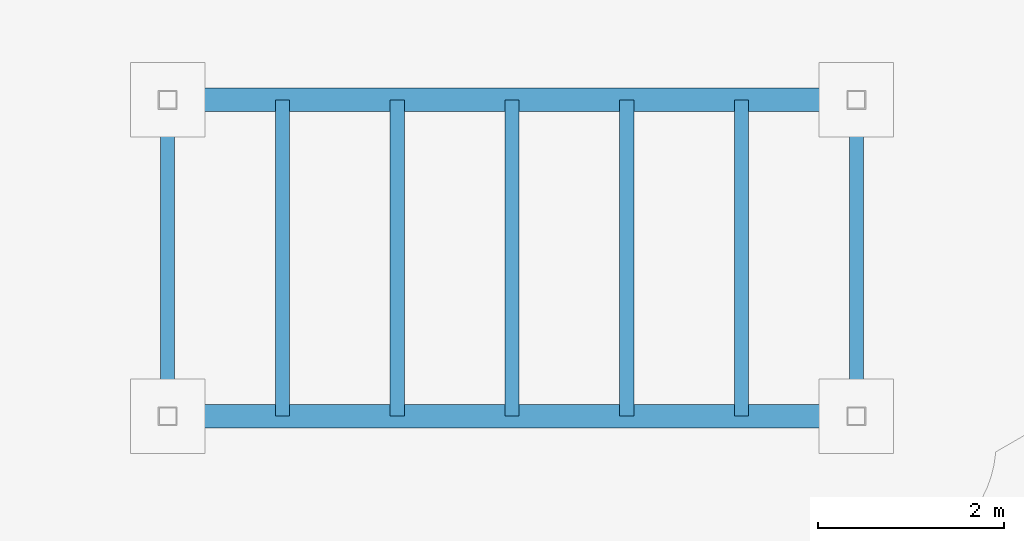
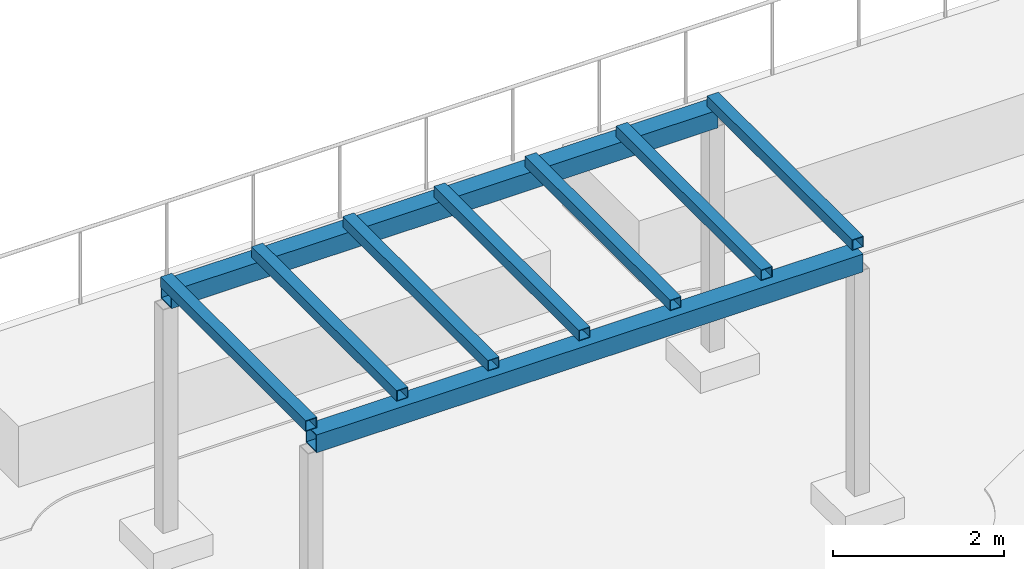
# One storey, part 42 of 71: 7 members, 2 beams.
"""IFC4 building model written with IfcOpenShell, lengths in metres."""

import ifcopenshell
import ifcopenshell.guid

model = None  # the IFC model being written
_history = None  # IfcOwnerHistory: only IFC2X3 demands one
_inside = {}  # id of a spatial element -> (the spatial element, [elements in it])
_under = {}  # id of a project, library or spatial element -> (it, [spatial elements below it])
_declared = {}  # id of a project -> (the project, [libraries it declares])
_typed = {}  # id of a type object -> (the type object, [elements of that type])
_made_of = {}  # id of a material, layer set ... -> (it, [elements and type objects made of it])


def new_model(schema):
    """Start an empty IFC model of exactly this schema.

    Asked for "IFC4X3", IfcOpenShell would pick the latest addendum, in which some entities
    have other attributes; the version numbers below select the first issue.
    IFC2X3 requires an IfcOwnerHistory on every rooted entity: one is made here for all.
    """
    global model, _history
    if schema == "IFC4X3":
        model = ifcopenshell.file(schema_version=(4, 3, 0, 0))
    else:
        model = ifcopenshell.file(schema=schema)
    _inside.clear()
    _under.clear()
    _declared.clear()
    _typed.clear()
    _made_of.clear()
    _history = None
    if model.schema == "IFC2X3":
        org = make("IfcOrganization", Name="unknown")
        user = make(
            "IfcPersonAndOrganization",
            ThePerson=make("IfcPerson", FamilyName="unknown"),
            TheOrganization=org,
        )
        app = make(
            "IfcApplication",
            ApplicationDeveloper=org,
            Version="unknown",
            ApplicationFullName="unknown",
            ApplicationIdentifier="unknown",
        )
        _history = make(
            "IfcOwnerHistory",
            OwningUser=user,
            OwningApplication=app,
            ChangeAction="ADDED",
            CreationDate=0,
        )
    return model


def make(cls, **values):
    """One entity of the class cls with the attributes given. An attribute that is None is left unset."""
    return model.create_entity(
        cls, **{name: value for name, value in values.items() if value is not None}
    )


def rooted(cls, **values):
    """An entity with a GlobalId (a new one), such as an element, a storey or a relation."""
    return make(cls, GlobalId=ifcopenshell.guid.new(), OwnerHistory=_history, **values)


def si_unit(unit_type, name, prefix=None):
    """IfcSIUnit, for example si_unit("LENGTHUNIT", "METRE", prefix="MILLI")."""
    return make("IfcSIUnit", UnitType=unit_type, Prefix=prefix, Name=name)


def assignment(units):
    """IfcUnitAssignment: the units of a project."""
    return None if units is None else make("IfcUnitAssignment", Units=units)


def point(xyz):
    """IfcCartesianPoint."""
    return None if xyz is None else make("IfcCartesianPoint", Coordinates=xyz)


def direction(xyz):
    """IfcDirection."""
    return None if xyz is None else make("IfcDirection", DirectionRatios=xyz)


def frame(location, z_axis=None, x_axis=None):
    """IfcAxis2Placement3D, a coordinate frame: its origin and axes. An axis left out is left unset."""
    return make(
        "IfcAxis2Placement3D",
        Location=point(location),
        Axis=direction(z_axis),
        RefDirection=direction(x_axis),
    )


def frame_2d(location, x_axis=None):
    """IfcAxis2Placement2D, a coordinate frame in the plane: its origin and x axis."""
    return make(
        "IfcAxis2Placement2D", Location=point(location), RefDirection=direction(x_axis)
    )


def origin():
    """The frame at (0, 0, 0) with its axes left unset."""
    return frame((0.0, 0.0, 0.0))


def origin_2d():
    """The frame at (0, 0) in the plane with its x axis left unset."""
    return frame_2d((0.0, 0.0))


def place(relative_to, where):
    """IfcLocalPlacement: puts the frame where relative to a parent placement (None: the world)."""
    return make(
        "IfcLocalPlacement", PlacementRelTo=relative_to, RelativePlacement=where
    )


def context(
    kind, dimensions, precision=None, world=None, true_north=None, identifier=None
):
    """IfcGeometricRepresentationContext, for example the 3D "Model" context."""
    return make(
        "IfcGeometricRepresentationContext",
        ContextIdentifier=identifier,
        ContextType=kind,
        CoordinateSpaceDimension=dimensions,
        Precision=precision,
        WorldCoordinateSystem=world,
        TrueNorth=true_north,
    )


def subcontext(parent, identifier, kind, view, scale=None):
    """IfcGeometricRepresentationSubContext, for example "Body" below "Model"."""
    return make(
        "IfcGeometricRepresentationSubContext",
        ContextIdentifier=identifier,
        ContextType=kind,
        ParentContext=parent,
        TargetScale=scale,
        TargetView=view,
    )


def project(units=None, contexts=None):
    """IfcProject with its units and contexts."""
    return rooted(
        "IfcProject",
        Name="project",
        RepresentationContexts=contexts,
        UnitsInContext=assignment(units),
    )


def spatial(cls, under=None, at=None, **own):
    """A site, building, storey or space (cls), placed at a placement, below another one or the project."""
    s = rooted(cls, ObjectPlacement=at, **own)
    if under is not None:
        _under.setdefault(under.id(), (under, []))[1].append(s)
    return s


def profile(cls, at=None, kind="AREA", **sizes):
    """A parametric profile (cls). Its sizes go by their IFC names, for example OverallWidth=200.0."""
    return make(cls, ProfileType=kind, Position=at, **sizes)


def hollow_rectangle(**sizes):
    """IfcRectangleHollowProfileDef."""
    return profile("IfcRectangleHollowProfileDef", **sizes)


def extrude(swept, where, along, depth):
    """IfcExtrudedAreaSolid: the profile swept, set in the frame where, extruded along a direction by depth."""
    return make(
        "IfcExtrudedAreaSolid",
        SweptArea=swept,
        Position=where,
        ExtrudedDirection=direction(along),
        Depth=depth,
    )


def shape(context_of_items, identifier, shape_type, items):
    """IfcShapeRepresentation: the items that make up one representation, for example the "Body"."""
    return make(
        "IfcShapeRepresentation",
        ContextOfItems=context_of_items,
        RepresentationIdentifier=identifier,
        RepresentationType=shape_type,
        Items=items,
    )


def material(Name=None, Category=None):
    """IfcMaterial."""
    return make("IfcMaterial", Name=Name, Category=Category)


def material_profile(
    of_material, cross_section, Name=None, Category=None, Priority=None
):
    """IfcMaterialProfile: a cross section and its material."""
    return make(
        "IfcMaterialProfile",
        Name=Name,
        Material=of_material,
        Profile=cross_section,
        Priority=Priority,
        Category=Category,
    )


def profile_set(profiles, Name=None, composite=None):
    """IfcMaterialProfileSet."""
    return make(
        "IfcMaterialProfileSet",
        Name=Name,
        MaterialProfiles=profiles,
        CompositeProfile=composite,
    )


def made_of(thing, what):
    """Note that an element or type object is made of a material, layer set ...; save() writes the relation."""
    if what is not None:
        _made_of.setdefault(what.id(), (what, []))[1].append(thing)
    return thing


def type_object(cls, material=None, **own):
    """A type object (cls), such as IfcWallType, which elements share."""
    return made_of(rooted(cls, **own), material)


def element(
    cls,
    number,
    at=None,
    inside=None,
    cuts=None,
    type_object=None,
    material=None,
    context=None,
    identifier="Body",
    shape_type=None,
    held_by="IfcProductDefinitionShape",
    body=None,
    shapes=None,
    **own,
):
    """One element of the class cls, such as IfcWall. Its Tag is "e" and its number.

    at: its placement. inside: the storey or other place that contains it. cuts: it is an
    opening in that element (IfcRelVoidsElement). A single representation is given by context,
    identifier, shape_type and body (its items); several are given by shapes. held_by: the class
    of the entity that holds the representations. save() writes the other relations.
    """
    e = rooted(cls, Tag="e%d" % number, ObjectPlacement=at, **own)
    if body is not None:
        shapes = [shape(context, identifier, shape_type, body)]
    if shapes is not None:
        e.Representation = make(held_by, Representations=shapes)
    if inside is not None:
        _inside.setdefault(inside.id(), (inside, []))[1].append(e)
    if cuts is not None:
        rooted(
            "IfcRelVoidsElement", RelatingBuildingElement=cuts, RelatedOpeningElement=e
        )
    if type_object is not None:
        _typed.setdefault(type_object.id(), (type_object, []))[1].append(e)
    return made_of(e, material)


def aggregate(whole, parts):
    """IfcRelAggregates: a whole, such as a stair, and the parts it consists of."""
    return rooted("IfcRelAggregates", RelatingObject=whole, RelatedObjects=parts)


def save(model, path):
    """Write the relations noted so far, then the file.

    IfcRelAggregates (storeys below a building ...), IfcRelContainedInSpatialStructure (elements
    in a storey), IfcRelDefinesByType, IfcRelAssociatesMaterial and IfcRelDeclares: one each for
    every whole, place, type object, material and project.
    """
    for whole, parts in _under.values():
        aggregate(whole, parts)
    for where, things in _inside.values():
        rooted(
            "IfcRelContainedInSpatialStructure",
            RelatedElements=things,
            RelatingStructure=where,
        )
    for kind, things in _typed.values():
        rooted("IfcRelDefinesByType", RelatedObjects=things, RelatingType=kind)
    for what, things in _made_of.values():
        rooted("IfcRelAssociatesMaterial", RelatedObjects=things, RelatingMaterial=what)
    for by, libraries in _declared.values():
        rooted("IfcRelDeclares", RelatingContext=by, RelatedDefinitions=libraries)
    model.write(path)


model = new_model("IFC4")

# Units and contexts
model_context = context("Model", 3, precision=1e-05, world=origin(), true_north=direction((0.0, 1.0)))
body_context = subcontext(model_context, "Body", "Model", "MODEL_VIEW")
ifc_project = project(units=[si_unit("LENGTHUNIT", "METRE"), si_unit("AREAUNIT", "SQUARE_METRE"), si_unit("VOLUMEUNIT", "CUBIC_METRE"), si_unit("PLANEANGLEUNIT", "RADIAN"), si_unit("MASSUNIT", "GRAM", prefix="KILO")], contexts=[model_context])

# Site, building, storey
site_placement = place(None, origin())
site = spatial("IfcSite", under=ifc_project, at=site_placement, CompositionType="ELEMENT")
building_placement = place(site_placement, origin())
building = spatial("IfcBuilding", under=site, at=building_placement, Name="Ostrander Bayou Hotel Tower", CompositionType="ELEMENT")
storey_placement = place(building_placement, frame((0.0, 0.0, 10.0)))
storey = spatial("IfcBuildingStorey", under=building, at=storey_placement, Name="L02", CompositionType="ELEMENT", Elevation=10.0)

# Beams
ifc_material_1 = material(Name="Steel ASTM A500 Gr C", Category="steel")
ifc_material_profile_1 = material_profile(ifc_material_1, hollow_rectangle(XDim=0.25390625, YDim=0.25390625, WallThickness=0.01171875, at=origin_2d()))
ifc_profile_set_1 = profile_set([ifc_material_profile_1], Name="Steel ASTM A500 Gr C")
beam_type = type_object("IfcBeamType", Name="PG2 pergola beam HSS10x10x1/2", PredefinedType="BEAM", material=ifc_profile_set_1)
for number, where, z_axis, x_axis, name in (
    (1, (-23.699951171875, 25.300048828125, 3.626953125), (1.0, 0.0, 0.0), (0.0, 1.0, 0.0), "PG2 pergola 1 beam 1"),
    (2, (-23.699951171875, 28.699951171875, 3.626953125), (1.0, 0.0, 0.0), (0.0, 1.0, 0.0), "PG2 pergola 1 beam 2"),
):
    element("IfcBeam", number, at=place(storey_placement, frame(where, z_axis=z_axis, x_axis=x_axis)), inside=storey, type_object=beam_type, Name=name, PredefinedType="BEAM", context=body_context, shape_type="SweptSolid", body=[
        extrude(hollow_rectangle(XDim=0.25390625, YDim=0.25390625, WallThickness=0.01171875, at=origin_2d()), origin(), (0.0, 0.0, 1.0), 7.39990234375),
    ])

# Members
ifc_material_2 = material(Name="Steel ASTM A500 Gr C", Category="steel")
ifc_material_profile_2 = material_profile(ifc_material_2, hollow_rectangle(XDim=0.15234375, YDim=0.15234375, WallThickness=0.0087890625, at=origin_2d()))
ifc_profile_set_2 = profile_set([ifc_material_profile_2], Name="Steel ASTM A500 Gr C")
member_type = type_object("IfcMemberType", Name="PG3 pergola rafter HSS6x6x3/8", PredefinedType="RAFTER", material=ifc_profile_set_2)
for number, where, z_axis, x_axis, name in (
    (3, (-23.699951171875, 25.300048828125, 3.830078125), (0.0, 1.0, 0.0), (-1.0, 0.0, 0.0), "PG3 pergola 1 rafter 1"),
    (4, (-22.466796875, 25.300048828125, 3.830078125), (0.0, 1.0, 0.0), (-1.0, 0.0, 0.0), "PG3 pergola 1 rafter 2"),
    (5, (-21.2333984375, 25.300048828125, 3.830078125), (0.0, 1.0, 0.0), (-1.0, 0.0, 0.0), "PG3 pergola 1 rafter 3"),
    (6, (-20.0, 25.300048828125, 3.830078125), (0.0, 1.0, 0.0), (-1.0, 0.0, 0.0), "PG3 pergola 1 rafter 4"),
    (7, (-18.7666015625, 25.300048828125, 3.830078125), (0.0, 1.0, 0.0), (-1.0, 0.0, 0.0), "PG3 pergola 1 rafter 5"),
    (8, (-17.533203125, 25.300048828125, 3.830078125), (0.0, 1.0, 0.0), (-1.0, 0.0, 0.0), "PG3 pergola 1 rafter 6"),
    (9, (-16.300048828125, 25.300048828125, 3.830078125), (0.0, 1.0, 0.0), (-1.0, 0.0, 0.0), "PG3 pergola 1 rafter 7"),
):
    element("IfcMember", number, at=place(storey_placement, frame(where, z_axis=z_axis, x_axis=x_axis)), inside=storey, type_object=member_type, Name=name, PredefinedType="RAFTER", context=body_context, shape_type="SweptSolid", body=[
        extrude(hollow_rectangle(XDim=0.15234375, YDim=0.15234375, WallThickness=0.0087890625, at=origin_2d()), origin(), (0.0, 0.0, 1.0), 3.39990234375),
    ])

save(model, "model.ifc")
